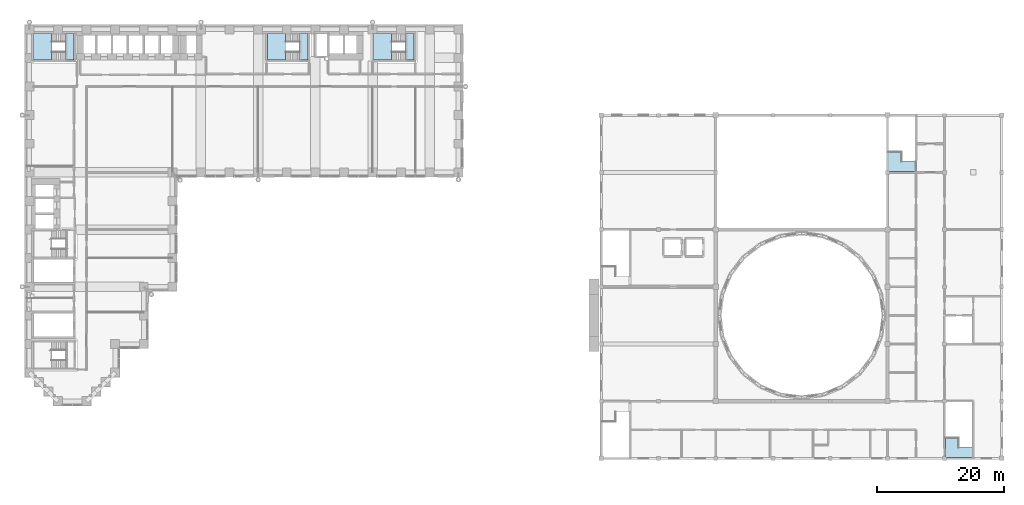
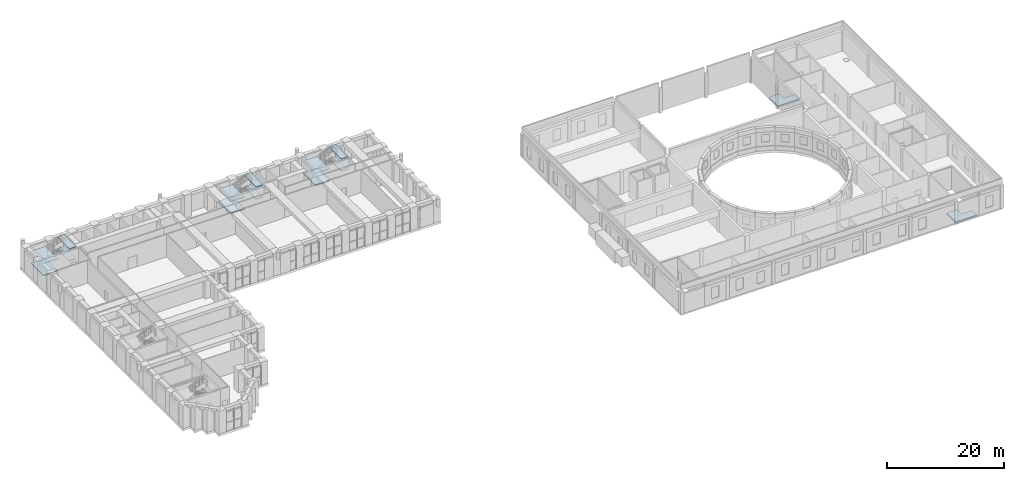
# One storey, part 17 of 35: 14 slabs, 3 elements without a shape of their own.
"""IFC4 building model written with IfcOpenShell, lengths in metres."""

from ifc_helpers import new_model, si_unit, direction, frame, origin, place, context, subcontext, project, spatial, polyline, outline, extrude, material, layer, layer_set, type_object, element, aggregate, save


model = new_model("IFC4")

# Units and contexts
model_context = context("Model", 3, precision=1e-05, world=origin(), true_north=direction((0.0, 1.0)))
body_context = subcontext(model_context, "Body", "Model", "MODEL_VIEW")
ifc_project = project(units=[si_unit("LENGTHUNIT", "METRE"), si_unit("AREAUNIT", "SQUARE_METRE"), si_unit("VOLUMEUNIT", "CUBIC_METRE"), si_unit("PLANEANGLEUNIT", "RADIAN"), si_unit("MASSUNIT", "GRAM", prefix="KILO")], contexts=[model_context])

# Site, building, storey
site_placement = place(None, origin())
site = spatial("IfcSite", under=ifc_project, at=site_placement, CompositionType="ELEMENT")
building_placement = place(site_placement, origin())
building = spatial("IfcBuilding", under=site, at=building_placement, Name="Firuza Court", CompositionType="ELEMENT")
storey_placement = place(building_placement, frame((0.0, 0.0, 24.0)))
storey = spatial("IfcBuildingStorey", under=building, at=storey_placement, Name="L04", CompositionType="ELEMENT", Elevation=24.0)

# Slabs
ifc_material_1 = material(Name="Concrete C40/50", Category="concrete")
ifc_layer_1 = layer(ifc_material_1, 0.300048828125)
ifc_layer_set_1 = layer_set([ifc_layer_1], Name="Concrete C40/50")
slab_type_1 = type_object("IfcSlabType", Name="HALL FLAT SLAB 300", PredefinedType="FLOOR", material=ifc_layer_set_1)
slab_1_placement = place(storey_placement, frame((0.0, 0.0, -0.300048828125)))
element("IfcSlab", 1, at=slab_1_placement, inside=storey, type_object=slab_type_1, Name="Floor slab L04.1", PredefinedType="FLOOR", context=body_context, shape_type="SweptSolid", body=[
    extrude(outline(polyline([(144.125, -8.875), (144.125, -5.800048828125), (146.199951171875, -5.800048828125), (146.199951171875, -7.2900390625), (148.375, -7.2900390625), (148.375, -8.875), (144.125, -8.875)])), origin(), (0.0, 0.0, 1.0), 0.300048828125),
])
slab_2_placement = place(storey_placement, frame((0.0, 0.0, -0.300048828125)))
element("IfcSlab", 2, at=slab_2_placement, inside=storey, type_object=slab_type_1, Name="Floor slab L04.5", PredefinedType="FLOOR", context=body_context, shape_type="SweptSolid", body=[
    extrude(outline(polyline([(135.125, 36.125), (135.125, 39.199951171875), (137.199951171875, 39.199951171875), (137.199951171875, 37.7099609375), (139.375, 37.7099609375), (139.375, 36.125), (135.125, 36.125)])), origin(), (0.0, 0.0, 1.0), 0.300048828125),
])

# Stair, slabs
ifc_material_2 = material(Name="Concrete C40/50 precast", Category="concrete")
stair_type = type_object("IfcStairType", Name="Stair 1350 x 5000 4 flights", PredefinedType="QUARTER_TURN_STAIR", material=ifc_material_2)
stair_1_placement = place(storey_placement, origin())
stair_1 = element("IfcStair", 3, at=stair_1_placement, inside=storey, type_object=stair_type, Name="Stair 1 L04", PredefinedType="QUARTER_TURN_STAIR")
ifc_material_3 = material(Name="Concrete C40/50 precast", Category="concrete")
ifc_layer_2 = layer(ifc_material_3, 0.199951171875)
ifc_layer_set_2 = layer_set([ifc_layer_2], Name="Concrete C40/50 precast")
slab_type_2 = type_object("IfcSlabType", Name="Stair landing 200", PredefinedType="LANDING", material=ifc_layer_set_2)
slab_3_placement = place(storey_placement, frame((0.0, 0.0, 1.050048828125)))
slab_3 = element("IfcSlab", 4, at=slab_3_placement, type_object=slab_type_2, Name="S1 landing 1", PredefinedType="LANDING", context=body_context, shape_type="SweptSolid", body=[
    extrude(outline(polyline([(40.260009765625, 53.64990234375), (40.260009765625, 57.85009765625), (37.449951171875, 57.85009765625), (37.449951171875, 53.64990234375), (40.260009765625, 53.64990234375)])), origin(), (0.0, 0.0, 1.0), 0.199951171875),
])
slab_4_placement = place(storey_placement, frame((0.0, 0.0, 2.300048828125)))
slab_4 = element("IfcSlab", 5, at=slab_4_placement, type_object=slab_type_2, Name="S1 landing 2", PredefinedType="LANDING", context=body_context, shape_type="SweptSolid", body=[
    extrude(outline(polyline([(43.85009765625, 53.64990234375), (43.85009765625, 57.85009765625), (42.5, 57.85009765625), (42.5, 53.64990234375), (43.85009765625, 53.64990234375)])), origin(), (0.0, 0.0, 1.0), 0.199951171875),
])
slab_5_placement = place(storey_placement, frame((0.0, 0.0, 3.550048828125)))
slab_5 = element("IfcSlab", 6, at=slab_5_placement, type_object=slab_type_2, Name="S1 landing 3", PredefinedType="LANDING", context=body_context, shape_type="SweptSolid", body=[
    extrude(outline(polyline([(40.260009765625, 53.64990234375), (40.260009765625, 57.85009765625), (37.449951171875, 57.85009765625), (37.449951171875, 53.64990234375), (40.260009765625, 53.64990234375)])), origin(), (0.0, 0.0, 1.0), 0.199951171875),
])
slab_6_placement = place(storey_placement, frame((0.0, 0.0, 4.800048828125)))
slab_6 = element("IfcSlab", 7, at=slab_6_placement, type_object=slab_type_2, Name="S1 landing 4", PredefinedType="LANDING", context=body_context, shape_type="SweptSolid", body=[
    extrude(outline(polyline([(43.85009765625, 53.64990234375), (43.85009765625, 57.85009765625), (42.5, 57.85009765625), (42.5, 53.64990234375), (43.85009765625, 53.64990234375)])), origin(), (0.0, 0.0, 1.0), 0.199951171875),
])
aggregate(stair_1, [slab_3, slab_4, slab_5, slab_6])

stair_2_placement = place(storey_placement, origin())
stair_2 = element("IfcStair", 8, at=stair_2_placement, inside=storey, type_object=stair_type, Name="Stair 3 L04", PredefinedType="QUARTER_TURN_STAIR")
slab_7_placement = place(storey_placement, frame((0.0, 0.0, 1.050048828125)))
slab_7 = element("IfcSlab", 9, at=slab_7_placement, type_object=slab_type_2, Name="S3 landing 1", PredefinedType="LANDING", context=body_context, shape_type="SweptSolid", body=[
    extrude(outline(polyline([(3.4599609375, 53.64990234375), (3.4599609375, 57.85009765625), (0.64990234375, 57.85009765625), (0.64990234375, 53.64990234375), (3.4599609375, 53.64990234375)])), origin(), (0.0, 0.0, 1.0), 0.199951171875),
])
slab_8_placement = place(storey_placement, frame((0.0, 0.0, 2.300048828125)))
slab_8 = element("IfcSlab", 10, at=slab_8_placement, type_object=slab_type_2, Name="S3 landing 2", PredefinedType="LANDING", context=body_context, shape_type="SweptSolid", body=[
    extrude(outline(polyline([(7.050048828125, 53.64990234375), (7.050048828125, 57.85009765625), (5.699951171875, 57.85009765625), (5.699951171875, 53.64990234375), (7.050048828125, 53.64990234375)])), origin(), (0.0, 0.0, 1.0), 0.199951171875),
])
slab_9_placement = place(storey_placement, frame((0.0, 0.0, 3.550048828125)))
slab_9 = element("IfcSlab", 11, at=slab_9_placement, type_object=slab_type_2, Name="S3 landing 3", PredefinedType="LANDING", context=body_context, shape_type="SweptSolid", body=[
    extrude(outline(polyline([(3.4599609375, 53.64990234375), (3.4599609375, 57.85009765625), (0.64990234375, 57.85009765625), (0.64990234375, 53.64990234375), (3.4599609375, 53.64990234375)])), origin(), (0.0, 0.0, 1.0), 0.199951171875),
])
slab_10_placement = place(storey_placement, frame((0.0, 0.0, 4.800048828125)))
slab_10 = element("IfcSlab", 12, at=slab_10_placement, type_object=slab_type_2, Name="S3 landing 4", PredefinedType="LANDING", context=body_context, shape_type="SweptSolid", body=[
    extrude(outline(polyline([(7.050048828125, 53.64990234375), (7.050048828125, 57.85009765625), (5.699951171875, 57.85009765625), (5.699951171875, 53.64990234375), (7.050048828125, 53.64990234375)])), origin(), (0.0, 0.0, 1.0), 0.199951171875),
])
aggregate(stair_2, [slab_7, slab_8, slab_9, slab_10])

stair_3_placement = place(storey_placement, origin())
stair_3 = element("IfcStair", 13, at=stair_3_placement, inside=storey, type_object=stair_type, Name="Stair 4 L04", PredefinedType="QUARTER_TURN_STAIR")
slab_11_placement = place(storey_placement, frame((0.0, 0.0, 1.050048828125)))
slab_11 = element("IfcSlab", 14, at=slab_11_placement, type_object=slab_type_2, Name="S4 landing 1", PredefinedType="LANDING", context=body_context, shape_type="SweptSolid", body=[
    extrude(outline(polyline([(56.9599609375, 53.64990234375), (56.9599609375, 57.85009765625), (54.14990234375, 57.85009765625), (54.14990234375, 53.64990234375), (56.9599609375, 53.64990234375)])), origin(), (0.0, 0.0, 1.0), 0.199951171875),
])
slab_12_placement = place(storey_placement, frame((0.0, 0.0, 2.300048828125)))
slab_12 = element("IfcSlab", 15, at=slab_12_placement, type_object=slab_type_2, Name="S4 landing 2", PredefinedType="LANDING", context=body_context, shape_type="SweptSolid", body=[
    extrude(outline(polyline([(60.550048828125, 53.64990234375), (60.550048828125, 57.85009765625), (59.199951171875, 57.85009765625), (59.199951171875, 53.64990234375), (60.550048828125, 53.64990234375)])), origin(), (0.0, 0.0, 1.0), 0.199951171875),
])
slab_13_placement = place(storey_placement, frame((0.0, 0.0, 3.550048828125)))
slab_13 = element("IfcSlab", 16, at=slab_13_placement, type_object=slab_type_2, Name="S4 landing 3", PredefinedType="LANDING", context=body_context, shape_type="SweptSolid", body=[
    extrude(outline(polyline([(56.9599609375, 53.64990234375), (56.9599609375, 57.85009765625), (54.14990234375, 57.85009765625), (54.14990234375, 53.64990234375), (56.9599609375, 53.64990234375)])), origin(), (0.0, 0.0, 1.0), 0.199951171875),
])
slab_14_placement = place(storey_placement, frame((0.0, 0.0, 4.800048828125)))
slab_14 = element("IfcSlab", 17, at=slab_14_placement, type_object=slab_type_2, Name="S4 landing 4", PredefinedType="LANDING", context=body_context, shape_type="SweptSolid", body=[
    extrude(outline(polyline([(60.550048828125, 53.64990234375), (60.550048828125, 57.85009765625), (59.199951171875, 57.85009765625), (59.199951171875, 53.64990234375), (60.550048828125, 53.64990234375)])), origin(), (0.0, 0.0, 1.0), 0.199951171875),
])
aggregate(stair_3, [slab_11, slab_12, slab_13, slab_14])

save(model, "model.ifc")
